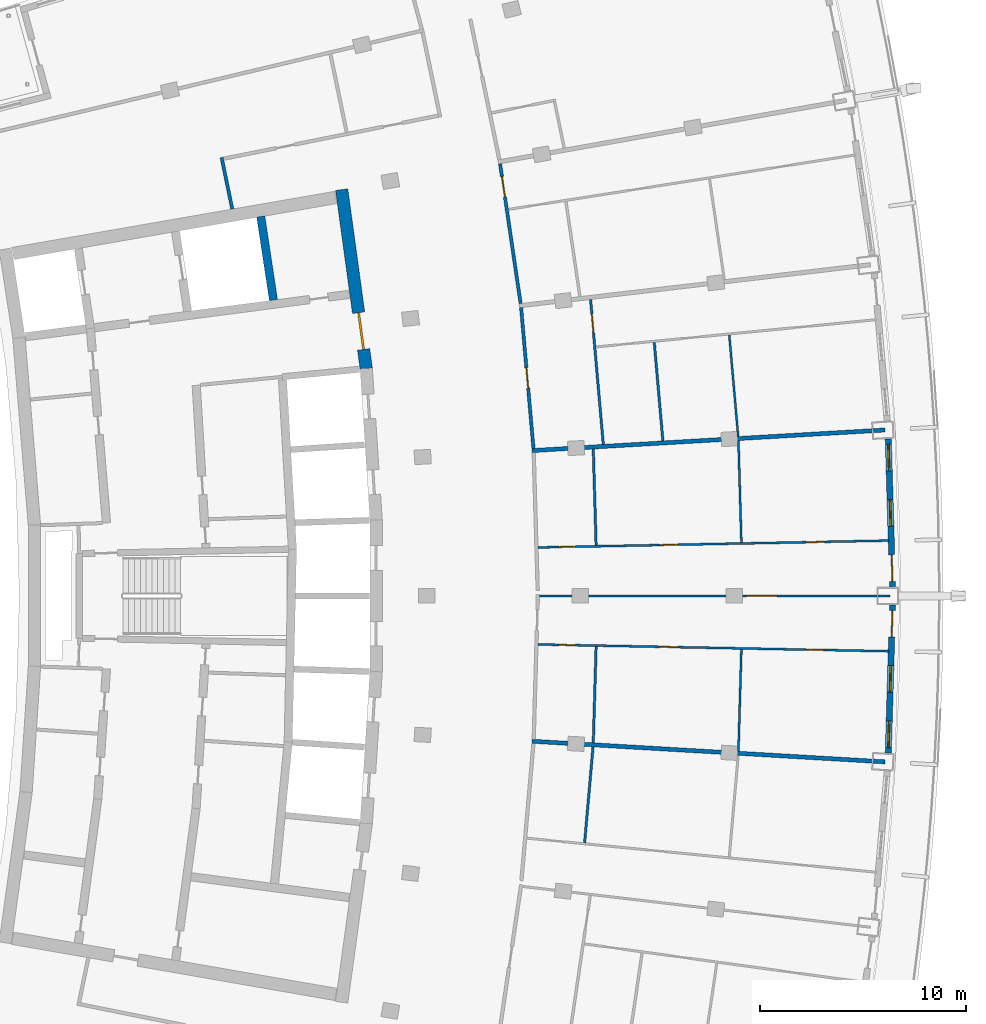
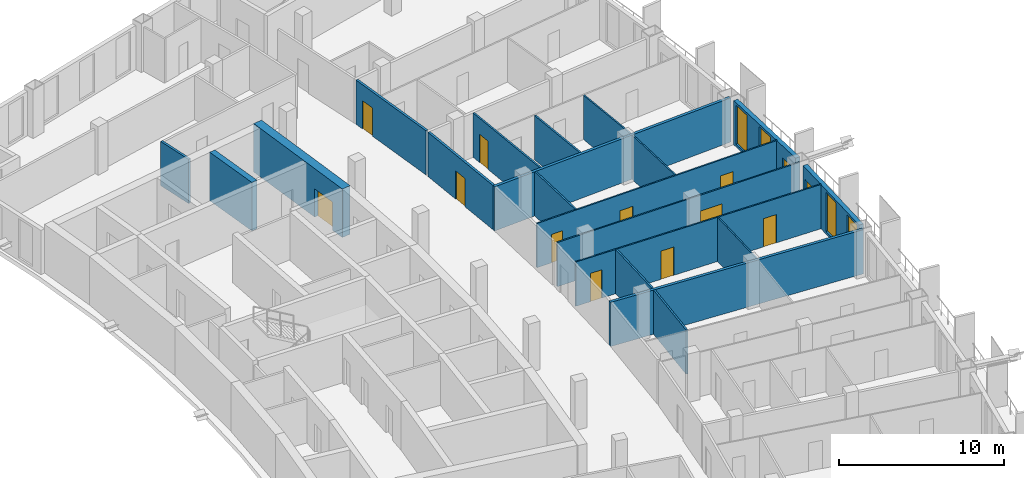
# One storey, part 13 of 21: 20 walls, 13 doors, 4 windows, 17 openings.
"""IFC4 building model written with IfcOpenShell, lengths in metres."""

from ifc_helpers import new_model, si_unit, direction, frame, frame_2d, origin, place, context, subcontext, project, spatial, rectangle, extrude, material, layer, layer_set, type_object, element, fill, save


model = new_model("IFC4")

# Units and contexts
model_context = context("Model", 3, precision=1e-05, world=origin(), true_north=direction((0.0, 1.0)))
body_context = subcontext(model_context, "Body", "Model", "MODEL_VIEW")
ifc_project = project(units=[si_unit("LENGTHUNIT", "METRE"), si_unit("AREAUNIT", "SQUARE_METRE"), si_unit("VOLUMEUNIT", "CUBIC_METRE"), si_unit("PLANEANGLEUNIT", "RADIAN"), si_unit("MASSUNIT", "GRAM", prefix="KILO")], contexts=[model_context])

# Site, building, storey
site_placement = place(None, origin())
site = spatial("IfcSite", under=ifc_project, at=site_placement, CompositionType="ELEMENT")
building_placement = place(site_placement, origin())
building = spatial("IfcBuilding", under=site, at=building_placement, Name="Alderwake Tower", CompositionType="ELEMENT")
storey_placement = place(building_placement, frame((0.0, 0.0, 207.199951171875)))
storey = spatial("IfcBuildingStorey", under=building, at=storey_placement, Name="L51", CompositionType="ELEMENT", Elevation=207.199951171875)

# Wall, opening, door
ifc_material_1 = material(Name="Concrete C70/85", Category="concrete")
ifc_layer_1 = layer(ifc_material_1, 0.60009765625)
ifc_layer_set_1 = layer_set([ifc_layer_1], Name="Core wall outer 600 C70-85")
wall_type_1 = type_object("IfcWallType", Name="Core wall outer 600 C70-85", PredefinedType="SHEAR", material=ifc_layer_set_1)
wall_1_placement = place(storey_placement, frame((31.66796875, 80.743896484375, 0.0), z_axis=(0.0, 0.0, 1.0), x_axis=(0.135856583698, -0.990728514108, 0.0)))
wall_1 = element("IfcWall", 1, at=wall_1_placement, inside=storey, type_object=wall_type_1, Name="Core wall CW.014", PredefinedType="SHEAR", context=body_context, shape_type="SweptSolid", body=[
    extrude(rectangle(XDim=8.79296875, YDim=0.60009765625, at=frame_2d((4.396484375, 0.0))), origin(), (0.0, 0.0, 1.0), 3.60009765625),
])
opening_1_placement = place(wall_1_placement, frame((6.038818359375, 0.0, 0.0)))
opening_1 = element("IfcOpeningElement", 2, at=opening_1_placement, cuts=wall_1, Name="Opening C001", PredefinedType="OPENING", context=body_context, shape_type="SweptSolid", body=[
    extrude(rectangle(XDim=1.800048828125, YDim=2.10009765625, at=frame_2d((0.89990234375, 1.050048828125))), frame((0.0, 0.31005859375, 0.0), z_axis=(0.0, -1.0, 0.0), x_axis=(1.0, 0.0, 0.0)), (0.0, 0.0, 1.0), 0.6201171875),
])
ifc_material_2 = material(Name="Steel-framed fire door leaves", Category="steel")
door_type_1 = type_object("IfcDoorType", Name="Core double door 1800 fire-rated", OperationType="DOUBLE_DOOR_SINGLE_SWING", PredefinedType="DOOR", material=ifc_material_2)
door_1_placement = place(opening_1_placement, origin())
door_1 = element("IfcDoor", 3, at=door_1_placement, inside=storey, type_object=door_type_1, Name="Lobby double door", OperationType="DOUBLE_DOOR_SINGLE_SWING", OverallHeight=2.10009765625, OverallWidth=1.800048828125, PredefinedType="DOOR", context=body_context, shape_type="SweptSolid", body=[
    extrude(rectangle(XDim=1.800048828125, YDim=2.10009765625, at=frame_2d((0.89990234375, 1.050048828125))), frame((0.0, 0.050048828125, 0.0), z_axis=(0.0, -1.0, 0.0), x_axis=(1.0, 0.0, 0.0)), (0.0, 0.0, 1.0), 0.10009765625),
])
fill(opening_1, door_1)

# Walls
ifc_material_3 = material(Name="Concrete C70/85", Category="concrete")
ifc_layer_2 = layer(ifc_material_3, 0.39990234375)
ifc_layer_set_2 = layer_set([ifc_layer_2], Name="Core wall spine 400 C70-85")
wall_type_2 = type_object("IfcWallType", Name="Core wall spine 400 C70-85", PredefinedType="SHEAR", material=ifc_layer_set_2)
wall_2_placement = place(storey_placement, frame((28.350830078125, 75.373291015625, 0.0), z_axis=(0.0, 0.0, 1.0), x_axis=(-0.150143035921, 0.988664285167, 0.0)))
element("IfcWall", 4, at=wall_2_placement, inside=storey, type_object=wall_type_2, Name="Core wall CW.001", PredefinedType="SHEAR", context=body_context, shape_type="SweptSolid", body=[
    extrude(rectangle(XDim=4.1123046875, YDim=0.39990234375, at=frame_2d((2.05615234375, 0.0))), origin(), (0.0, 0.0, 1.0), 3.60009765625),
])
ifc_material_4 = material(Name="Gypsum board on metal studs, rated")
ifc_layer_3 = layer(ifc_material_4, 0.159912109375)
ifc_layer_set_3 = layer_set([ifc_layer_3], Name="Corridor wall 160")
wall_type_3 = type_object("IfcWallType", Name="Corridor wall 160", PredefinedType="PARTITIONING", material=ifc_layer_set_3)
wall_3_placement = place(storey_placement, frame((25.831787109375, 82.305419921875, 0.0), z_axis=(0.0, 0.0, 1.0), x_axis=(0.202450797205, -0.979292435747, 0.0)))
element("IfcWall", 5, at=wall_3_placement, inside=storey, type_object=wall_type_3, Name="WL/L51/W12", PredefinedType="PARTITIONING", context=body_context, shape_type="SweptSolid", body=[
    extrude(rectangle(XDim=2.555419921875, YDim=0.159912109375, at=frame_2d((1.27783203125, 0.0))), origin(), (0.0, 0.0, 1.0), 3.280029296875),
])

# Wall, opening, door
wall_4_placement = place(storey_placement, frame((39.362548828125, 82.001953125, 0.0), z_axis=(0.0, 0.0, 1.0), x_axis=(0.145565626222, -0.98934859805, 0.0)))
wall_4 = element("IfcWall", 6, at=wall_4_placement, inside=storey, type_object=wall_type_3, Name="WL/L51/W23", PredefinedType="PARTITIONING", context=body_context, shape_type="SweptSolid", body=[
    extrude(rectangle(XDim=6.8681640625, YDim=0.159912109375, at=frame_2d((3.43408203125, 0.0))), origin(), (0.0, 0.0, 1.0), 3.280029296875),
])
opening_2_placement = place(wall_4_placement, frame((0.627685546875, 0.0, 0.0)))
opening_2 = element("IfcOpeningElement", 7, at=opening_2_placement, cuts=wall_4, Name="Opening R14-U07.2", PredefinedType="OPENING", context=body_context, shape_type="SweptSolid", body=[
    extrude(rectangle(XDim=1.0, YDim=2.10009765625, at=frame_2d((0.5, 1.050048828125))), frame((0.0, 0.08984375, 0.0), z_axis=(0.0, -1.0, 0.0), x_axis=(1.0, 0.0, 0.0)), (0.0, 0.0, 1.0), 0.179931640625),
])
ifc_material_5 = material(Name="Solid timber leaf in steel frame", Category="steel")
door_type_2 = type_object("IfcDoorType", Name="Flat entrance door 1000 fire-rated", OperationType="SINGLE_SWING_LEFT", PredefinedType="DOOR", material=ifc_material_5)
door_2_placement = place(opening_2_placement, origin())
door_2 = element("IfcDoor", 8, at=door_2_placement, inside=storey, type_object=door_type_2, Name="DR/L51/U07.2", OperationType="SINGLE_SWING_LEFT", OverallHeight=2.10009765625, OverallWidth=1.0, PredefinedType="DOOR", context=body_context, shape_type="SweptSolid", body=[
    extrude(rectangle(XDim=1.0, YDim=2.10009765625, at=frame_2d((0.5, 1.050048828125))), frame((0.0, 0.02490234375, 0.0), z_axis=(0.0, -1.0, 0.0), x_axis=(1.0, 0.0, 0.0)), (0.0, 0.0, 1.0), 0.050048828125),
])
fill(opening_2, door_2)

wall_5_placement = place(storey_placement, frame((40.3857421875, 75.00830078125, 0.0), z_axis=(0.0, 0.0, 1.0), x_axis=(0.087448731147, -0.996169021512, 0.0)))
wall_5 = element("IfcWall", 9, at=wall_5_placement, inside=storey, type_object=wall_type_3, Name="WL/L51/W26", PredefinedType="PARTITIONING", context=body_context, shape_type="SweptSolid", body=[
    extrude(rectangle(XDim=6.867919921875, YDim=0.159912109375, at=frame_2d((3.43408203125, 0.0))), origin(), (0.0, 0.0, 1.0), 3.280029296875),
])
opening_3_placement = place(wall_5_placement, frame((2.93408203125, 0.0, 0.0)))
opening_3 = element("IfcOpeningElement", 10, at=opening_3_placement, cuts=wall_5, Name="Opening R14-U06.2", PredefinedType="OPENING", context=body_context, shape_type="SweptSolid", body=[
    extrude(rectangle(XDim=1.0, YDim=2.10009765625, at=frame_2d((0.5, 1.050048828125))), frame((0.0, 0.08984375, 0.0), z_axis=(0.0, -1.0, 0.0), x_axis=(1.0, 0.0, 0.0)), (0.0, 0.0, 1.0), 0.179931640625),
])
door_3_placement = place(opening_3_placement, origin())
door_3 = element("IfcDoor", 11, at=door_3_placement, inside=storey, type_object=door_type_2, Name="DR/L51/U06.2", OperationType="SINGLE_SWING_LEFT", OverallHeight=2.10009765625, OverallWidth=1.0, PredefinedType="DOOR", context=body_context, shape_type="SweptSolid", body=[
    extrude(rectangle(XDim=1.0, YDim=2.10009765625, at=frame_2d((0.5, 1.050048828125))), frame((0.0, 0.02490234375, 0.0), z_axis=(0.0, -1.0, 0.0), x_axis=(1.0, 0.0, 0.0)), (0.0, 0.0, 1.0), 0.050048828125),
])
fill(opening_3, door_3)

# Wall, openings, door, windows
ifc_material_6 = material(Name="Precast concrete C50/60 spandrel panel", Category="concrete")
ifc_layer_4 = layer(ifc_material_6, 0.300048828125)
ifc_layer_set_4 = layer_set([ifc_layer_4], Name="External wall EW1 Precast concrete C50/60 spandrel")
wall_type_4 = type_object("IfcWallType", Name="External wall EW1 Precast concrete C50/60 spandrel", PredefinedType="SOLIDWALL", material=ifc_layer_set_4)
wall_6_placement = place(storey_placement, frame((58.2275390625, 53.37548828125, 0.0), z_axis=(0.0, 0.0, 1.0), x_axis=(0.029173236612, 0.999574370553, 0.0)))
wall_6 = element("IfcWall", 12, at=wall_6_placement, inside=storey, type_object=wall_type_4, Name="External wall 15", PredefinedType="SOLIDWALL", context=body_context, shape_type="SweptSolid", body=[
    extrude(rectangle(XDim=7.180419921875, YDim=0.300048828125, at=frame_2d((3.59033203125, 0.0))), origin(), (0.0, 0.0, 1.0), 3.280029296875),
])
opening_4_placement = place(wall_6_placement, frame((0.25341796875, 0.0, 0.199951171875)))
opening_4 = element("IfcOpeningElement", 13, at=opening_4_placement, cuts=wall_6, Name="Opening W1", PredefinedType="OPENING", context=body_context, shape_type="SweptSolid", body=[
    extrude(rectangle(XDim=1.300048828125, YDim=2.89990234375, at=frame_2d((0.64990234375, 1.449951171875))), frame((0.0, 0.159912109375, 0.0), z_axis=(0.0, -1.0, 0.0), x_axis=(1.0, 0.0, 0.0)), (0.0, 0.0, 1.0), 0.320068359375),
])
opening_5_placement = place(wall_6_placement, frame((2.940185546875, 0.0, 0.199951171875)))
opening_5 = element("IfcOpeningElement", 14, at=opening_5_placement, cuts=wall_6, Name="Opening W1", PredefinedType="OPENING", context=body_context, shape_type="SweptSolid", body=[
    extrude(rectangle(XDim=1.300048828125, YDim=2.89990234375, at=frame_2d((0.64990234375, 1.449951171875))), frame((0.0, 0.159912109375, 0.0), z_axis=(0.0, -1.0, 0.0), x_axis=(1.0, 0.0, 0.0)), (0.0, 0.0, 1.0), 0.320068359375),
])
opening_6_placement = place(wall_6_placement, frame((5.626953125, 0.0, 0.0)))
opening_6 = element("IfcOpeningElement", 15, at=opening_6_placement, cuts=wall_6, Name="Opening D05", PredefinedType="OPENING", context=body_context, shape_type="SweptSolid", body=[
    extrude(rectangle(XDim=1.300048828125, YDim=2.39990234375, at=frame_2d((0.64990234375, 1.199951171875))), frame((0.0, 0.159912109375, 0.0), z_axis=(0.0, -1.0, 0.0), x_axis=(1.0, 0.0, 0.0)), (0.0, 0.0, 1.0), 0.320068359375),
])
ifc_material_7 = material(Name="Bronze tinted glass in aluminium frame", Category="aluminium")
door_type_3 = type_object("IfcDoorType", Name="Balcony door BD sliding", OperationType="SLIDING_TO_LEFT", PredefinedType="DOOR", material=ifc_material_7)
door_4_placement = place(opening_6_placement, origin())
door_4 = element("IfcDoor", 16, at=door_4_placement, inside=storey, type_object=door_type_3, Name="Door D05", OperationType="SLIDING_TO_LEFT", OverallHeight=2.39990234375, OverallWidth=1.300048828125, PredefinedType="DOOR", context=body_context, shape_type="SweptSolid", body=[
    extrude(rectangle(XDim=1.300048828125, YDim=2.39990234375, at=frame_2d((0.64990234375, 1.199951171875))), frame((0.0, 0.02490234375, 0.0), z_axis=(0.0, -1.0, 0.0), x_axis=(1.0, 0.0, 0.0)), (0.0, 0.0, 1.0), 0.050048828125),
])
fill(opening_6, door_4)
ifc_material_8 = material(Name="Bronze tinted glass in aluminium frame", Category="aluminium")
window_type = type_object("IfcWindowType", Name="Window W1 tall fixed and vent", PartitioningType="DOUBLE_PANEL_VERTICAL", PredefinedType="WINDOW", material=ifc_material_8)
window_1_placement = place(opening_4_placement, origin())
window_1 = element("IfcWindow", 17, at=window_1_placement, inside=storey, type_object=window_type, Name="Window W1 tall fixed and vent", OverallHeight=2.89990234375, OverallWidth=1.300048828125, PartitioningType="DOUBLE_PANEL_VERTICAL", PredefinedType="WINDOW", context=body_context, shape_type="SweptSolid", body=[
    extrude(rectangle(XDim=1.300048828125, YDim=2.89990234375, at=frame_2d((0.64990234375, 1.449951171875))), frame((0.0, 0.030029296875, 0.0), z_axis=(0.0, -1.0, 0.0), x_axis=(1.0, 0.0, 0.0)), (0.0, 0.0, 1.0), 0.06005859375),
])
fill(opening_4, window_1)
window_2_placement = place(opening_5_placement, origin())
window_2 = element("IfcWindow", 18, at=window_2_placement, inside=storey, type_object=window_type, Name="Window W1 tall fixed and vent", OverallHeight=2.89990234375, OverallWidth=1.300048828125, PartitioningType="DOUBLE_PANEL_VERTICAL", PredefinedType="WINDOW", context=body_context, shape_type="SweptSolid", body=[
    extrude(rectangle(XDim=1.300048828125, YDim=2.89990234375, at=frame_2d((0.64990234375, 1.449951171875))), frame((0.0, 0.030029296875, 0.0), z_axis=(0.0, -1.0, 0.0), x_axis=(1.0, 0.0, 0.0)), (0.0, 0.0, 1.0), 0.06005859375),
])
fill(opening_5, window_2)

wall_7_placement = place(storey_placement, frame((58.43701171875, 61.447265625, 0.0), z_axis=(0.0, 0.0, 1.0), x_axis=(-0.029173236612, 0.999574370553, 0.0)))
wall_7 = element("IfcWall", 19, at=wall_7_placement, inside=storey, type_object=wall_type_4, Name="External wall 16", PredefinedType="SOLIDWALL", context=body_context, shape_type="SweptSolid", body=[
    extrude(rectangle(XDim=7.180419921875, YDim=0.300048828125, at=frame_2d((3.59033203125, 0.0))), origin(), (0.0, 0.0, 1.0), 3.280029296875),
])
opening_7_placement = place(wall_7_placement, frame((0.25341796875, 0.0, 0.0)))
opening_7 = element("IfcOpeningElement", 20, at=opening_7_placement, cuts=wall_7, Name="Opening D06", PredefinedType="OPENING", context=body_context, shape_type="SweptSolid", body=[
    extrude(rectangle(XDim=1.300048828125, YDim=2.39990234375, at=frame_2d((0.64990234375, 1.199951171875))), frame((0.0, 0.159912109375, 0.0), z_axis=(0.0, -1.0, 0.0), x_axis=(1.0, 0.0, 0.0)), (0.0, 0.0, 1.0), 0.320068359375),
])
opening_8_placement = place(wall_7_placement, frame((2.940185546875, 0.0, 0.199951171875)))
opening_8 = element("IfcOpeningElement", 21, at=opening_8_placement, cuts=wall_7, Name="Opening W1", PredefinedType="OPENING", context=body_context, shape_type="SweptSolid", body=[
    extrude(rectangle(XDim=1.300048828125, YDim=2.89990234375, at=frame_2d((0.64990234375, 1.449951171875))), frame((0.0, 0.159912109375, 0.0), z_axis=(0.0, -1.0, 0.0), x_axis=(1.0, 0.0, 0.0)), (0.0, 0.0, 1.0), 0.320068359375),
])
opening_9_placement = place(wall_7_placement, frame((5.626953125, 0.0, 0.199951171875)))
opening_9 = element("IfcOpeningElement", 22, at=opening_9_placement, cuts=wall_7, Name="Opening W1", PredefinedType="OPENING", context=body_context, shape_type="SweptSolid", body=[
    extrude(rectangle(XDim=1.300048828125, YDim=2.89990234375, at=frame_2d((0.64990234375, 1.449951171875))), frame((0.0, 0.159912109375, 0.0), z_axis=(0.0, -1.0, 0.0), x_axis=(1.0, 0.0, 0.0)), (0.0, 0.0, 1.0), 0.320068359375),
])
door_5_placement = place(opening_7_placement, origin())
door_5 = element("IfcDoor", 23, at=door_5_placement, inside=storey, type_object=door_type_3, Name="Door D06", OperationType="SLIDING_TO_LEFT", OverallHeight=2.39990234375, OverallWidth=1.300048828125, PredefinedType="DOOR", context=body_context, shape_type="SweptSolid", body=[
    extrude(rectangle(XDim=1.300048828125, YDim=2.39990234375, at=frame_2d((0.64990234375, 1.199951171875))), frame((0.0, 0.02490234375, 0.0), z_axis=(0.0, -1.0, 0.0), x_axis=(1.0, 0.0, 0.0)), (0.0, 0.0, 1.0), 0.050048828125),
])
fill(opening_7, door_5)
window_3_placement = place(opening_8_placement, origin())
window_3 = element("IfcWindow", 24, at=window_3_placement, inside=storey, type_object=window_type, Name="Window W1 tall fixed and vent", OverallHeight=2.89990234375, OverallWidth=1.300048828125, PartitioningType="DOUBLE_PANEL_VERTICAL", PredefinedType="WINDOW", context=body_context, shape_type="SweptSolid", body=[
    extrude(rectangle(XDim=1.300048828125, YDim=2.89990234375, at=frame_2d((0.64990234375, 1.449951171875))), frame((0.0, 0.030029296875, 0.0), z_axis=(0.0, -1.0, 0.0), x_axis=(1.0, 0.0, 0.0)), (0.0, 0.0, 1.0), 0.06005859375),
])
fill(opening_8, window_3)
window_4_placement = place(opening_9_placement, origin())
window_4 = element("IfcWindow", 25, at=window_4_placement, inside=storey, type_object=window_type, Name="Window W1 tall fixed and vent", OverallHeight=2.89990234375, OverallWidth=1.300048828125, PartitioningType="DOUBLE_PANEL_VERTICAL", PredefinedType="WINDOW", context=body_context, shape_type="SweptSolid", body=[
    extrude(rectangle(XDim=1.300048828125, YDim=2.89990234375, at=frame_2d((0.64990234375, 1.449951171875))), frame((0.0, 0.030029296875, 0.0), z_axis=(0.0, -1.0, 0.0), x_axis=(1.0, 0.0, 0.0)), (0.0, 0.0, 1.0), 0.06005859375),
])
fill(opening_9, window_4)

# Walls
ifc_material_9 = material(Name="Dense block masonry wall", Category="masonry")
ifc_layer_5 = layer(ifc_material_9, 0.199951171875)
ifc_layer_set_5 = layer_set([ifc_layer_5], Name="Party wall 200")
wall_type_5 = type_object("IfcWallType", Name="Party wall 200", PredefinedType="SOLIDWALL", material=ifc_layer_set_5)
for number, where, z_axis, x_axis, name in (
    (26, (58.06494140625, 52.93798828125, 0.0), (0.0, 0.0, 1.0), (-0.998301852926, 0.058252986578, 0.0), "WL/L51/W04"),
    (27, (58.06494140625, 69.06298828125, 0.0), (0.0, 0.0, 1.0), (-0.998301852926, -0.058252986578, 0.0), "WL/L51/W05"),
):
    element("IfcWall", number, at=place(storey_placement, frame(where, z_axis=z_axis, x_axis=x_axis)), inside=storey, type_object=wall_type_5, Name=name, PredefinedType="SOLIDWALL", context=body_context, shape_type="SweptSolid", body=[
        extrude(rectangle(XDim=17.178955078125, YDim=0.199951171875, at=frame_2d((8.58935546875, 0.0))), origin(), (0.0, 0.0, 1.0), 3.280029296875),
    ])

# Wall, openings, doors
ifc_material_10 = material(Name="Gypsum board on metal studs")
ifc_layer_6 = layer(ifc_material_10, 0.10009765625)
ifc_layer_set_6 = layer_set([ifc_layer_6], Name="Unit partition 100")
wall_type_6 = type_object("IfcWallType", Name="Unit partition 100", PredefinedType="PARTITIONING", material=ifc_layer_set_6)
wall_8_placement = place(storey_placement, frame((58.27197265625, 58.31103515625, 0.0), z_axis=(0.0, 0.0, 1.0), x_axis=(-0.999811536807, 0.019413677352, 0.0)))
wall_8 = element("IfcWall", 28, at=wall_8_placement, inside=storey, type_object=wall_type_6, Name="WL/L51/W47", PredefinedType="PARTITIONING", context=body_context, shape_type="SweptSolid", body=[
    extrude(rectangle(XDim=17.065185546875, YDim=0.10009765625, at=frame_2d((8.53271484375, 0.0))), origin(), (0.0, 0.0, 1.0), 3.280029296875),
])
opening_10_placement = place(wall_8_placement, frame((10.263671875, 0.0, 0.0)))
opening_10 = element("IfcOpeningElement", 29, at=opening_10_placement, cuts=wall_8, Name="Opening R14-U05.1", PredefinedType="OPENING", context=body_context, shape_type="SweptSolid", body=[
    extrude(rectangle(XDim=0.89990234375, YDim=2.10009765625, at=frame_2d((0.449951171875, 1.050048828125))), frame((0.0, 0.06005859375, 0.0), z_axis=(0.0, -1.0, 0.0), x_axis=(1.0, 0.0, 0.0)), (0.0, 0.0, 1.0), 0.1201171875),
])
opening_11_placement = place(wall_8_placement, frame((15.255126953125, 0.0, 0.0)))
opening_11 = element("IfcOpeningElement", 30, at=opening_11_placement, cuts=wall_8, Name="Opening R14-U05.3", PredefinedType="OPENING", context=body_context, shape_type="SweptSolid", body=[
    extrude(rectangle(XDim=0.800048828125, YDim=2.10009765625, at=frame_2d((0.39990234375, 1.050048828125))), frame((0.0, 0.06005859375, 0.0), z_axis=(0.0, -1.0, 0.0), x_axis=(1.0, 0.0, 0.0)), (0.0, 0.0, 1.0), 0.1201171875),
])
opening_12_placement = place(wall_8_placement, frame((3.141845703125, 0.0, 0.0)))
opening_12 = element("IfcOpeningElement", 31, at=opening_12_placement, cuts=wall_8, Name="Opening R14-U05.4", PredefinedType="OPENING", context=body_context, shape_type="SweptSolid", body=[
    extrude(rectangle(XDim=0.89990234375, YDim=2.10009765625, at=frame_2d((0.449951171875, 1.050048828125))), frame((0.0, 0.06005859375, 0.0), z_axis=(0.0, -1.0, 0.0), x_axis=(1.0, 0.0, 0.0)), (0.0, 0.0, 1.0), 0.1201171875),
])
ifc_material_11 = material(Name="Painted timber leaf", Category="wood")
door_type_4 = type_object("IfcDoorType", Name="Bathroom door 800", OperationType="SINGLE_SWING_LEFT", PredefinedType="DOOR", material=ifc_material_11)
door_6_placement = place(opening_11_placement, origin())
door_6 = element("IfcDoor", 32, at=door_6_placement, inside=storey, type_object=door_type_4, Name="DR/L51/U05.3", OperationType="SINGLE_SWING_LEFT", OverallHeight=2.10009765625, OverallWidth=0.800048828125, PredefinedType="DOOR", context=body_context, shape_type="SweptSolid", body=[
    extrude(rectangle(XDim=0.800048828125, YDim=2.10009765625, at=frame_2d((0.39990234375, 1.050048828125))), frame((0.0, 0.02490234375, 0.0), z_axis=(0.0, -1.0, 0.0), x_axis=(1.0, 0.0, 0.0)), (0.0, 0.0, 1.0), 0.050048828125),
])
fill(opening_11, door_6)
ifc_material_12 = material(Name="Painted timber leaf", Category="wood")
door_type_5 = type_object("IfcDoorType", Name="Room door 900", OperationType="SINGLE_SWING_LEFT", PredefinedType="DOOR", material=ifc_material_12)
door_7_placement = place(opening_10_placement, origin())
door_7 = element("IfcDoor", 33, at=door_7_placement, inside=storey, type_object=door_type_5, Name="DR/L51/U05.1", OperationType="SINGLE_SWING_LEFT", OverallHeight=2.10009765625, OverallWidth=0.89990234375, PredefinedType="DOOR", context=body_context, shape_type="SweptSolid", body=[
    extrude(rectangle(XDim=0.89990234375, YDim=2.10009765625, at=frame_2d((0.449951171875, 1.050048828125))), frame((0.0, 0.02490234375, 0.0), z_axis=(0.0, -1.0, 0.0), x_axis=(1.0, 0.0, 0.0)), (0.0, 0.0, 1.0), 0.050048828125),
])
fill(opening_10, door_7)
door_8_placement = place(opening_12_placement, origin())
door_8 = element("IfcDoor", 34, at=door_8_placement, inside=storey, type_object=door_type_5, Name="DR/L51/U05.4", OperationType="SINGLE_SWING_LEFT", OverallHeight=2.10009765625, OverallWidth=0.89990234375, PredefinedType="DOOR", context=body_context, shape_type="SweptSolid", body=[
    extrude(rectangle(XDim=0.89990234375, YDim=2.10009765625, at=frame_2d((0.449951171875, 1.050048828125))), frame((0.0, 0.02490234375, 0.0), z_axis=(0.0, -1.0, 0.0), x_axis=(1.0, 0.0, 0.0)), (0.0, 0.0, 1.0), 0.050048828125),
])
fill(opening_12, door_8)

wall_9_placement = place(storey_placement, frame((41.2099609375, 63.355712890625, 0.0), z_axis=(0.0, 0.0, 1.0), x_axis=(0.999808189858, 0.019585287639, 0.0)))
wall_9 = element("IfcWall", 35, at=wall_9_placement, inside=storey, type_object=wall_type_6, Name="WL/L51/W48", PredefinedType="PARTITIONING", context=body_context, shape_type="SweptSolid", body=[
    extrude(rectangle(XDim=17.065185546875, YDim=0.10009765625, at=frame_2d((8.53271484375, 0.0))), origin(), (0.0, 0.0, 1.0), 3.280029296875),
])
opening_13_placement = place(wall_9_placement, frame((5.901611328125, 0.0, 0.0)))
opening_13 = element("IfcOpeningElement", 36, at=opening_13_placement, cuts=wall_9, Name="Opening R14-U05.5", PredefinedType="OPENING", context=body_context, shape_type="SweptSolid", body=[
    extrude(rectangle(XDim=0.89990234375, YDim=2.10009765625, at=frame_2d((0.449951171875, 1.050048828125))), frame((0.0, 0.06005859375, 0.0), z_axis=(0.0, -1.0, 0.0), x_axis=(1.0, 0.0, 0.0)), (0.0, 0.0, 1.0), 0.1201171875),
])
opening_14_placement = place(wall_9_placement, frame((1.010009765625, 0.0, 0.0)))
opening_14 = element("IfcOpeningElement", 37, at=opening_14_placement, cuts=wall_9, Name="Opening R14-U05.6", PredefinedType="OPENING", context=body_context, shape_type="SweptSolid", body=[
    extrude(rectangle(XDim=0.800048828125, YDim=2.10009765625, at=frame_2d((0.39990234375, 1.050048828125))), frame((0.0, 0.06005859375, 0.0), z_axis=(0.0, -1.0, 0.0), x_axis=(1.0, 0.0, 0.0)), (0.0, 0.0, 1.0), 0.1201171875),
])
opening_15_placement = place(wall_9_placement, frame((13.0234375, 0.0, 0.0)))
opening_15 = element("IfcOpeningElement", 38, at=opening_15_placement, cuts=wall_9, Name="Opening R14-U05.7", PredefinedType="OPENING", context=body_context, shape_type="SweptSolid", body=[
    extrude(rectangle(XDim=0.89990234375, YDim=2.10009765625, at=frame_2d((0.449951171875, 1.050048828125))), frame((0.0, 0.06005859375, 0.0), z_axis=(0.0, -1.0, 0.0), x_axis=(1.0, 0.0, 0.0)), (0.0, 0.0, 1.0), 0.1201171875),
])
door_9_placement = place(opening_14_placement, origin())
door_9 = element("IfcDoor", 39, at=door_9_placement, inside=storey, type_object=door_type_4, Name="DR/L51/U05.6", OperationType="SINGLE_SWING_LEFT", OverallHeight=2.10009765625, OverallWidth=0.800048828125, PredefinedType="DOOR", context=body_context, shape_type="SweptSolid", body=[
    extrude(rectangle(XDim=0.800048828125, YDim=2.10009765625, at=frame_2d((0.39990234375, 1.050048828125))), frame((0.0, 0.02490234375, 0.0), z_axis=(0.0, -1.0, 0.0), x_axis=(1.0, 0.0, 0.0)), (0.0, 0.0, 1.0), 0.050048828125),
])
fill(opening_14, door_9)
door_10_placement = place(opening_13_placement, origin())
door_10 = element("IfcDoor", 40, at=door_10_placement, inside=storey, type_object=door_type_5, Name="DR/L51/U05.5", OperationType="SINGLE_SWING_LEFT", OverallHeight=2.10009765625, OverallWidth=0.89990234375, PredefinedType="DOOR", context=body_context, shape_type="SweptSolid", body=[
    extrude(rectangle(XDim=0.89990234375, YDim=2.10009765625, at=frame_2d((0.449951171875, 1.050048828125))), frame((0.0, 0.02490234375, 0.0), z_axis=(0.0, -1.0, 0.0), x_axis=(1.0, 0.0, 0.0)), (0.0, 0.0, 1.0), 0.050048828125),
])
fill(opening_13, door_10)
door_11_placement = place(opening_15_placement, origin())
door_11 = element("IfcDoor", 41, at=door_11_placement, inside=storey, type_object=door_type_5, Name="DR/L51/U05.7", OperationType="SINGLE_SWING_LEFT", OverallHeight=2.10009765625, OverallWidth=0.89990234375, PredefinedType="DOOR", context=body_context, shape_type="SweptSolid", body=[
    extrude(rectangle(XDim=0.89990234375, YDim=2.10009765625, at=frame_2d((0.449951171875, 1.050048828125))), frame((0.0, 0.02490234375, 0.0), z_axis=(0.0, -1.0, 0.0), x_axis=(1.0, 0.0, 0.0)), (0.0, 0.0, 1.0), 0.050048828125),
])
fill(opening_15, door_11)

# Walls
wall_10_placement = place(storey_placement, frame((50.94580078125, 53.451904296875, 0.0), z_axis=(0.0, 0.0, 1.0), x_axis=(0.028839843482, 0.999584045205, 0.0)))
element("IfcWall", 42, at=wall_10_placement, inside=storey, type_object=wall_type_6, Name="WL/L51/W55", PredefinedType="PARTITIONING", context=body_context, shape_type="SweptSolid", body=[
    extrude(rectangle(XDim=4.9521484375, YDim=0.10009765625, at=frame_2d((2.47607421875, 0.0))), origin(), (0.0, 0.0, 1.0), 3.280029296875),
])
wall_11_placement = place(storey_placement, frame((50.93408203125, 68.74560546875, 0.0), z_axis=(0.0, 0.0, 1.0), x_axis=(-0.087565726078, 0.996158744185, 0.0)))
element("IfcWall", 43, at=wall_11_placement, inside=storey, type_object=wall_type_6, Name="WL/L51/W56", PredefinedType="PARTITIONING", context=body_context, shape_type="SweptSolid", body=[
    extrude(rectangle(XDim=4.95166015625, YDim=0.10009765625, at=frame_2d((2.475830078125, 0.0))), origin(), (0.0, 0.0, 1.0), 3.280029296875),
])
wall_12_placement = place(storey_placement, frame((51.088623046875, 63.59912109375, 0.0), z_axis=(0.0, 0.0, 1.0), x_axis=(-0.02885975374, 0.999583470559, 0.0)))
element("IfcWall", 44, at=wall_12_placement, inside=storey, type_object=wall_type_6, Name="WL/L51/W57", PredefinedType="PARTITIONING", context=body_context, shape_type="SweptSolid", body=[
    extrude(rectangle(XDim=4.94873046875, YDim=0.10009765625, at=frame_2d((2.474365234375, 0.0))), origin(), (0.0, 0.0, 1.0), 3.280029296875),
])

# Wall, opening, door
wall_13_placement = place(storey_placement, frame((41.279052734375, 60.9990234375, 0.0), z_axis=(0.0, 0.0, 1.0), x_axis=(1.0, 0.0, 0.0)))
wall_13 = element("IfcWall", 45, at=wall_13_placement, inside=storey, type_object=wall_type_6, Name="WL/L51/W58", PredefinedType="PARTITIONING", context=body_context, shape_type="SweptSolid", body=[
    extrude(rectangle(XDim=17.02001953125, YDim=0.10009765625, at=frame_2d((8.510009765625, 0.0))), origin(), (0.0, 0.0, 1.0), 3.280029296875),
])
opening_16_placement = place(wall_13_placement, frame((10.052001953125, 0.0, 0.0)))
opening_16 = element("IfcOpeningElement", 46, at=opening_16_placement, cuts=wall_13, Name="Opening R14-U05.8", PredefinedType="OPENING", context=body_context, shape_type="SweptSolid", body=[
    extrude(rectangle(XDim=1.5, YDim=2.10009765625, at=frame_2d((0.75, 1.050048828125))), frame((0.0, 0.06005859375, 0.0), z_axis=(0.0, -1.0, 0.0), x_axis=(1.0, 0.0, 0.0)), (0.0, 0.0, 1.0), 0.1201171875),
])
ifc_material_13 = material(Name="Painted timber leaves", Category="wood")
door_type_6 = type_object("IfcDoorType", Name="Double leaf door 1500", OperationType="DOUBLE_DOOR_SINGLE_SWING", PredefinedType="DOOR", material=ifc_material_13)
door_12_placement = place(opening_16_placement, origin())
door_12 = element("IfcDoor", 47, at=door_12_placement, inside=storey, type_object=door_type_6, Name="DR/L51/U05.8", OperationType="DOUBLE_DOOR_SINGLE_SWING", OverallHeight=2.10009765625, OverallWidth=1.5, PredefinedType="DOOR", context=body_context, shape_type="SweptSolid", body=[
    extrude(rectangle(XDim=1.5, YDim=2.10009765625, at=frame_2d((0.75, 1.050048828125))), frame((0.0, 0.02490234375, 0.0), z_axis=(0.0, -1.0, 0.0), x_axis=(1.0, 0.0, 0.0)), (0.0, 0.0, 1.0), 0.050048828125),
])
fill(opening_16, door_12)

# Wall
ifc_material_14 = material(Name="Moisture resistant gypsum board on metal studs")
ifc_layer_7 = layer(ifc_material_14, 0.1201171875)
ifc_layer_set_7 = layer_set([ifc_layer_7], Name="Wet room partition 120")
wall_type_7 = type_object("IfcWallType", Name="Wet room partition 120", PredefinedType="PARTITIONING", material=ifc_layer_set_7)
wall_14_placement = place(storey_placement, frame((43.471435546875, 49.0068359375, 0.0), z_axis=(0.0, 0.0, 1.0), x_axis=(0.087584573872, 0.99615708722, 0.0)))
element("IfcWall", 48, at=wall_14_placement, inside=storey, type_object=wall_type_7, Name="WL/L51/W37", PredefinedType="PARTITIONING", context=body_context, shape_type="SweptSolid", body=[
    extrude(rectangle(XDim=4.677490234375, YDim=0.1201171875, at=frame_2d((2.3388671875, 0.0))), origin(), (0.0, 0.0, 1.0), 3.280029296875),
])

# Wall, opening, door
wall_15_placement = place(storey_placement, frame((43.7607421875, 75.404296875, 0.0), z_axis=(0.0, 0.0, 1.0), x_axis=(0.087510659507, -0.996163583189, 0.0)))
wall_15 = element("IfcWall", 49, at=wall_15_placement, inside=storey, type_object=wall_type_7, Name="WL/L51/W38", PredefinedType="PARTITIONING", context=body_context, shape_type="SweptSolid", body=[
    extrude(rectangle(XDim=7.066650390625, YDim=0.1201171875, at=frame_2d((3.533203125, 0.0))), origin(), (0.0, 0.0, 1.0), 3.280029296875),
])
opening_17_placement = place(wall_15_placement, frame((0.71142578125, 0.0, 0.0)))
opening_17 = element("IfcOpeningElement", 50, at=opening_17_placement, cuts=wall_15, Name="Opening R14-U06.3", PredefinedType="OPENING", context=body_context, shape_type="SweptSolid", body=[
    extrude(rectangle(XDim=0.89990234375, YDim=2.10009765625, at=frame_2d((0.449951171875, 1.050048828125))), frame((0.0, 0.070068359375, 0.0), z_axis=(0.0, -1.0, 0.0), x_axis=(1.0, 0.0, 0.0)), (0.0, 0.0, 1.0), 0.14013671875),
])
door_13_placement = place(opening_17_placement, origin())
door_13 = element("IfcDoor", 51, at=door_13_placement, inside=storey, type_object=door_type_5, Name="DR/L51/U06.3", OperationType="SINGLE_SWING_LEFT", OverallHeight=2.10009765625, OverallWidth=0.89990234375, PredefinedType="DOOR", context=body_context, shape_type="SweptSolid", body=[
    extrude(rectangle(XDim=0.89990234375, YDim=2.10009765625, at=frame_2d((0.449951171875, 1.050048828125))), frame((0.0, 0.02490234375, 0.0), z_axis=(0.0, -1.0, 0.0), x_axis=(1.0, 0.0, 0.0)), (0.0, 0.0, 1.0), 0.050048828125),
])
fill(opening_17, door_13)

# Walls
wall_16_placement = place(storey_placement, frame((43.892822265625, 53.865966796875, 0.0), z_axis=(0.0, 0.0, 1.0), x_axis=(0.029256273894, 0.999571943603, 0.0)))
element("IfcWall", 52, at=wall_16_placement, inside=storey, type_object=wall_type_7, Name="WL/L51/W39", PredefinedType="PARTITIONING", context=body_context, shape_type="SweptSolid", body=[
    extrude(rectangle(XDim=4.673095703125, YDim=0.1201171875, at=frame_2d((2.33642578125, 0.0))), origin(), (0.0, 0.0, 1.0), 3.280029296875),
])
wall_17_placement = place(storey_placement, frame((44.029541015625, 63.4609375, 0.0), z_axis=(0.0, 0.0, 1.0), x_axis=(-0.029237951874, 0.999572479698, 0.0)))
element("IfcWall", 53, at=wall_17_placement, inside=storey, type_object=wall_type_7, Name="WL/L51/W40", PredefinedType="PARTITIONING", context=body_context, shape_type="SweptSolid", body=[
    extrude(rectangle(XDim=4.676025390625, YDim=0.1201171875, at=frame_2d((2.337890625, 0.0))), origin(), (0.0, 0.0, 1.0), 3.280029296875),
])
wall_18_placement = place(storey_placement, frame((47.2744140625, 68.53271484375, 0.0), z_axis=(0.0, 0.0, 1.0), x_axis=(-0.087155609358, 0.996194709762, 0.0)))
element("IfcWall", 54, at=wall_18_placement, inside=storey, type_object=wall_type_7, Name="WL/L51/W42", PredefinedType="PARTITIONING", context=body_context, shape_type="SweptSolid", body=[
    extrude(rectangle(XDim=4.806884765625, YDim=0.1201171875, at=frame_2d((2.4033203125, 0.0))), origin(), (0.0, 0.0, 1.0), 3.280029296875),
])

save(model, "model.ifc")
